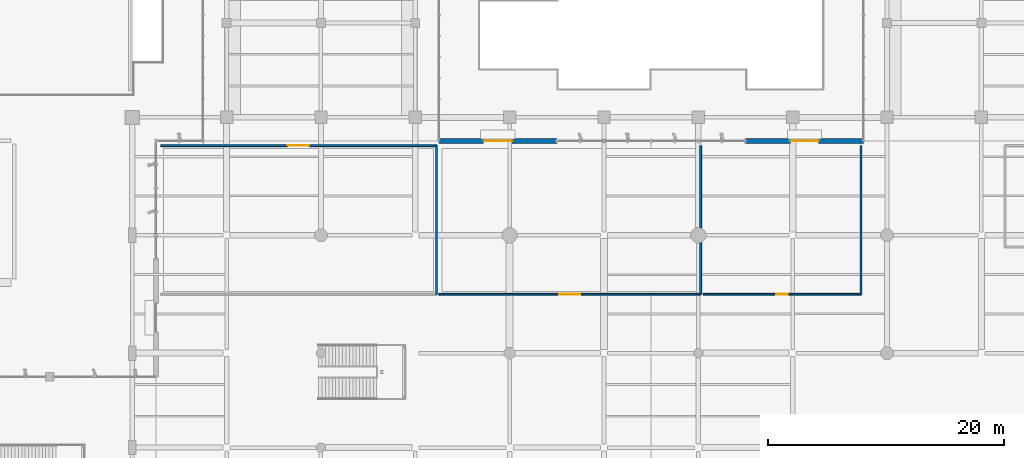
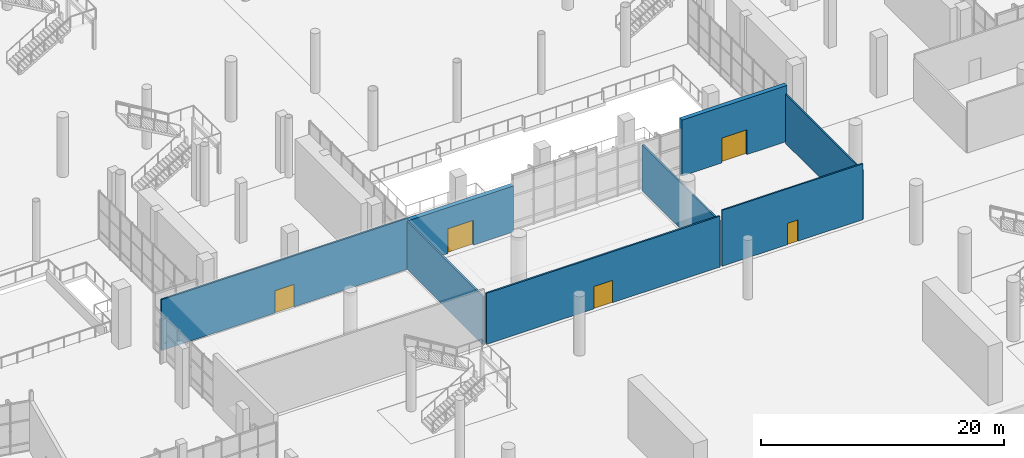
# One storey, part 125 of 163: 8 walls, 5 doors, 5 openings.
"""IFC4 building model written with IfcOpenShell, lengths in metres."""

from ifc_helpers import new_model, si_unit, direction, frame, frame_2d, origin, place, context, subcontext, project, spatial, rectangle, extrude, material, layer, layer_set, type_object, element, fill, save


model = new_model("IFC4")

# Units and contexts
model_context = context("Model", 3, precision=1e-05, world=origin(), true_north=direction((0.0, 1.0)))
body_context = subcontext(model_context, "Body", "Model", "MODEL_VIEW")
ifc_project = project(units=[si_unit("LENGTHUNIT", "METRE"), si_unit("AREAUNIT", "SQUARE_METRE"), si_unit("VOLUMEUNIT", "CUBIC_METRE"), si_unit("PLANEANGLEUNIT", "RADIAN"), si_unit("MASSUNIT", "GRAM", prefix="KILO")], contexts=[model_context])

# Site, building, storey
site_placement = place(None, origin())
site = spatial("IfcSite", under=ifc_project, at=site_placement, CompositionType="ELEMENT")
building_placement = place(site_placement, origin())
building = spatial("IfcBuilding", under=site, at=building_placement, Name="Khorjan Park Terminus", CompositionType="ELEMENT")
storey_placement = place(building_placement, origin())
storey = spatial("IfcBuildingStorey", under=building, at=storey_placement, Name="L00", CompositionType="ELEMENT", Elevation=0.0)

# Wall, opening, door
ifc_material_1 = material(Name="Pigmented Precast GRC & Concrete C40/50", Category="concrete")
ifc_layer_1 = layer(ifc_material_1, 0.42)
ifc_layer_set_1 = layer_set([ifc_layer_1], Name="Pigmented Precast GRC & Concrete C40/50")
wall_type_1 = type_object("IfcWallType", Name="EW-42", PredefinedType="STANDARD", material=ifc_layer_set_1)
wall_1_placement = place(storey_placement, frame((84.0, 86.0, 0.0), z_axis=(0.0, 0.0, 1.0), x_axis=(-1.0, 0.0, 0.0)))
wall_1 = element("IfcWall", 1, at=wall_1_placement, inside=storey, type_object=wall_type_1, Name="External pigmented-GRC insulated wall EW-42 (EW-V2-N-L00-03)", PredefinedType="STANDARD", context=body_context, shape_type="SweptSolid", body=[
    extrude(rectangle(XDim=10.0, YDim=0.42, at=frame_2d((5.0, 0.0))), origin(), (0.0, 0.0, 1.0), 4.625),
])
opening_1_placement = place(wall_1_placement, frame((3.8, 0.0, 0.0)))
opening_1 = element("IfcOpeningElement", 2, at=opening_1_placement, cuts=wall_1, Name="Opening ED-24", PredefinedType="OPENING", context=body_context, shape_type="SweptSolid", body=[
    extrude(rectangle(XDim=2.4, YDim=2.5, at=frame_2d((1.2, 1.25))), frame((0.0, 0.22, 0.0), z_axis=(0.0, -1.0, 0.0), x_axis=(1.0, 0.0, 0.0)), (0.0, 0.0, 1.0), 0.44),
])
ifc_material_2 = material(Name="Anodized Bronze Aluminium & Safety Glass", Category="aluminium")
door_type_1 = type_object("IfcDoorType", Name="ED-24", OperationType="NOTDEFINED", PredefinedType="DOOR", material=ifc_material_2)
door_1_placement = place(opening_1_placement, origin())
door_1 = element("IfcDoor", 3, at=door_1_placement, inside=storey, type_object=door_type_1, Name="Exterior door ED-24 (DR-EW-V2-N-L00-03)", OperationType="DOUBLE_DOOR_SINGLE_SWING", OverallHeight=2.5, OverallWidth=2.4, PredefinedType="DOOR", context=body_context, shape_type="SweptSolid", body=[
    extrude(rectangle(XDim=2.4, YDim=2.5, at=frame_2d((1.2, 1.25))), frame((0.0, 0.025, 0.0), z_axis=(0.0, -1.0, 0.0), x_axis=(1.0, 0.0, 0.0)), (0.0, 0.0, 1.0), 0.05),
])
fill(opening_1, door_1)

wall_2_placement = place(storey_placement, frame((110.0, 86.0, 0.0), z_axis=(0.0, 0.0, 1.0), x_axis=(-1.0, 0.0, 0.0)))
wall_2 = element("IfcWall", 4, at=wall_2_placement, inside=storey, type_object=wall_type_1, Name="External pigmented-GRC insulated wall EW-42 (EW-V2-N-L00-06)", PredefinedType="STANDARD", context=body_context, shape_type="SweptSolid", body=[
    extrude(rectangle(XDim=10.0, YDim=0.42, at=frame_2d((5.0, 0.0))), origin(), (0.0, 0.0, 1.0), 5.62),
])
opening_2_placement = place(wall_2_placement, frame((3.8, 0.0, 0.0)))
opening_2 = element("IfcOpeningElement", 5, at=opening_2_placement, cuts=wall_2, Name="Opening ED-24", PredefinedType="OPENING", context=body_context, shape_type="SweptSolid", body=[
    extrude(rectangle(XDim=2.4, YDim=2.5, at=frame_2d((1.2, 1.25))), frame((0.0, 0.22, 0.0), z_axis=(0.0, -1.0, 0.0), x_axis=(1.0, 0.0, 0.0)), (0.0, 0.0, 1.0), 0.44),
])
door_2_placement = place(opening_2_placement, origin())
door_2 = element("IfcDoor", 6, at=door_2_placement, inside=storey, type_object=door_type_1, Name="Exterior door ED-24 (DR-EW-V2-N-L00-06)", OperationType="DOUBLE_DOOR_SINGLE_SWING", OverallHeight=2.5, OverallWidth=2.4, PredefinedType="DOOR", context=body_context, shape_type="SweptSolid", body=[
    extrude(rectangle(XDim=2.4, YDim=2.5, at=frame_2d((1.2, 1.25))), frame((0.0, 0.025, 0.0), z_axis=(0.0, -1.0, 0.0), x_axis=(1.0, 0.0, 0.0)), (0.0, 0.0, 1.0), 0.05),
])
fill(opening_2, door_2)

# Wall
ifc_material_3 = material(Name="Moisture-Resistant Sanitary Partition")
ifc_layer_2 = layer(ifc_material_3, 0.14)
ifc_layer_set_2 = layer_set([ifc_layer_2], Name="Moisture-Resistant Sanitary Partition")
wall_type_2 = type_object("IfcWallType", Name="PT-14", PredefinedType="PARTITIONING", material=ifc_layer_set_2)
wall_3_placement = place(storey_placement, frame((109.8, 85.6, 0.0), z_axis=(0.0, 0.0, 1.0), x_axis=(0.0, -1.0, 0.0)))
element("IfcWall", 7, at=wall_3_placement, inside=storey, type_object=wall_type_2, Name="Interior acoustic partition PT-14 (L00-WC0)", PredefinedType="PARTITIONING", context=body_context, shape_type="SweptSolid", body=[
    extrude(rectangle(XDim=12.6, YDim=0.14, at=frame_2d((6.3, 0.0))), origin(), (0.0, 0.0, 1.0), 4.935),
])

# Wall, opening, door
wall_4_placement = place(storey_placement, frame((109.8, 73.0, 0.0), z_axis=(0.0, 0.0, 1.0), x_axis=(-1.0, 0.0, 0.0)))
wall_4 = element("IfcWall", 8, at=wall_4_placement, inside=storey, type_object=wall_type_2, Name="Interior acoustic partition PT-14 (L00-WC0)", PredefinedType="PARTITIONING", context=body_context, shape_type="SweptSolid", body=[
    extrude(rectangle(XDim=13.4, YDim=0.14, at=frame_2d((6.7, 0.0))), origin(), (0.0, 0.0, 1.0), 5.62),
])
opening_3_placement = place(wall_4_placement, frame((6.2, 0.0, 0.0)))
opening_3 = element("IfcOpeningElement", 9, at=opening_3_placement, cuts=wall_4, Name="Opening ID-10", PredefinedType="OPENING", context=body_context, shape_type="SweptSolid", body=[
    extrude(rectangle(XDim=1.0, YDim=2.15, at=frame_2d((0.5, 1.075))), frame((0.0, 0.08, 0.0), z_axis=(0.0, -1.0, 0.0), x_axis=(1.0, 0.0, 0.0)), (0.0, 0.0, 1.0), 0.16),
])
ifc_material_4 = material(Name="Acoustic Fire-Rated Single Door")
door_type_2 = type_object("IfcDoorType", Name="ID-10", OperationType="NOTDEFINED", PredefinedType="DOOR", material=ifc_material_4)
door_3_placement = place(opening_3_placement, origin())
door_3 = element("IfcDoor", 10, at=door_3_placement, inside=storey, type_object=door_type_2, Name="Interior door ID-10 (L00-WC0)", OperationType="SINGLE_SWING_RIGHT", OverallHeight=2.15, OverallWidth=1.0, PredefinedType="DOOR", context=body_context, shape_type="SweptSolid", body=[
    extrude(rectangle(XDim=1.0, YDim=2.15, at=frame_2d((0.5, 1.075))), frame((0.0, 0.025, 0.0), z_axis=(0.0, -1.0, 0.0), x_axis=(1.0, 0.0, 0.0)), (0.0, 0.0, 1.0), 0.05),
])
fill(opening_3, door_3)

ifc_material_5 = material(Name="Insulated Metal-Stud Acoustic Partition")
ifc_layer_3 = layer(ifc_material_5, 0.16)
ifc_layer_set_3 = layer_set([ifc_layer_3], Name="Insulated Metal-Stud Acoustic Partition")
wall_type_3 = type_object("IfcWallType", Name="PT-16", PredefinedType="PARTITIONING", material=ifc_layer_set_3)
wall_5_placement = place(storey_placement, frame((50.4, 85.6, 0.0), z_axis=(0.0, 0.0, 1.0), x_axis=(1.0, 0.0, 0.0)))
wall_5 = element("IfcWall", 11, at=wall_5_placement, inside=storey, type_object=wall_type_3, Name="Interior acoustic partition PT-16 (L00-RET1)", PredefinedType="PARTITIONING", context=body_context, shape_type="SweptSolid", body=[
    extrude(rectangle(XDim=23.4, YDim=0.16, at=frame_2d((11.7, 0.0))), origin(), (0.0, 0.0, 1.0), 5.115),
])
opening_4_placement = place(wall_5_placement, frame((10.8, 0.0, 0.0)))
opening_4 = element("IfcOpeningElement", 12, at=opening_4_placement, cuts=wall_5, Name="Opening ID-18", PredefinedType="OPENING", context=body_context, shape_type="SweptSolid", body=[
    extrude(rectangle(XDim=1.8, YDim=2.25, at=frame_2d((0.9, 1.125))), frame((0.0, 0.09, 0.0), z_axis=(0.0, -1.0, 0.0), x_axis=(1.0, 0.0, 0.0)), (0.0, 0.0, 1.0), 0.18),
])
ifc_material_6 = material(Name="Acoustic Hardwood & Vision-Lite Double Door", Category="wood")
door_type_3 = type_object("IfcDoorType", Name="ID-18", OperationType="NOTDEFINED", PredefinedType="DOOR", material=ifc_material_6)
door_4_placement = place(opening_4_placement, origin())
door_4 = element("IfcDoor", 13, at=door_4_placement, inside=storey, type_object=door_type_3, Name="Interior door ID-18 (L00-RET1)", OperationType="DOUBLE_DOOR_SINGLE_SWING", OverallHeight=2.25, OverallWidth=1.8, PredefinedType="DOOR", context=body_context, shape_type="SweptSolid", body=[
    extrude(rectangle(XDim=1.8, YDim=2.25, at=frame_2d((0.9, 1.125))), frame((0.0, 0.025, 0.0), z_axis=(0.0, -1.0, 0.0), x_axis=(1.0, 0.0, 0.0)), (0.0, 0.0, 1.0), 0.05),
])
fill(opening_4, door_4)

# Walls
wall_6_placement = place(storey_placement, frame((73.8, 85.6, 0.0), z_axis=(0.0, 0.0, 1.0), x_axis=(0.0, -1.0, 0.0)))
element("IfcWall", 14, at=wall_6_placement, inside=storey, type_object=wall_type_3, Name="Interior acoustic partition PT-16 (L00-RET1)", PredefinedType="PARTITIONING", context=body_context, shape_type="SweptSolid", body=[
    extrude(rectangle(XDim=12.6, YDim=0.16, at=frame_2d((6.3, 0.0))), origin(), (0.0, 0.0, 1.0), 4.825),
])
wall_7_placement = place(storey_placement, frame((96.2, 85.6, 0.0), z_axis=(0.0, 0.0, 1.0), x_axis=(0.0, -1.0, 0.0)))
element("IfcWall", 15, at=wall_7_placement, inside=storey, type_object=wall_type_3, Name="Interior acoustic partition PT-16 (L00-RET2)", PredefinedType="PARTITIONING", context=body_context, shape_type="SweptSolid", body=[
    extrude(rectangle(XDim=12.6, YDim=0.16, at=frame_2d((6.3, 0.0))), origin(), (0.0, 0.0, 1.0), 4.625),
])

# Wall, opening, door
wall_8_placement = place(storey_placement, frame((96.2, 73.0, 0.0), z_axis=(0.0, 0.0, 1.0), x_axis=(-1.0, 0.0, 0.0)))
wall_8 = element("IfcWall", 16, at=wall_8_placement, inside=storey, type_object=wall_type_3, Name="Interior acoustic partition PT-16 (L00-RET2)", PredefinedType="PARTITIONING", context=body_context, shape_type="SweptSolid", body=[
    extrude(rectangle(XDim=22.2, YDim=0.16, at=frame_2d((11.1, 0.0))), origin(), (0.0, 0.0, 1.0), 5.125),
])
opening_5_placement = place(wall_8_placement, frame((10.2, 0.0, 0.0)))
opening_5 = element("IfcOpeningElement", 17, at=opening_5_placement, cuts=wall_8, Name="Opening ID-18", PredefinedType="OPENING", context=body_context, shape_type="SweptSolid", body=[
    extrude(rectangle(XDim=1.8, YDim=2.25, at=frame_2d((0.9, 1.125))), frame((0.0, 0.09, 0.0), z_axis=(0.0, -1.0, 0.0), x_axis=(1.0, 0.0, 0.0)), (0.0, 0.0, 1.0), 0.18),
])
door_5_placement = place(opening_5_placement, origin())
door_5 = element("IfcDoor", 18, at=door_5_placement, inside=storey, type_object=door_type_3, Name="Interior door ID-18 (L00-RET2)", OperationType="DOUBLE_DOOR_SINGLE_SWING", OverallHeight=2.25, OverallWidth=1.8, PredefinedType="DOOR", context=body_context, shape_type="SweptSolid", body=[
    extrude(rectangle(XDim=1.8, YDim=2.25, at=frame_2d((0.9, 1.125))), frame((0.0, 0.025, 0.0), z_axis=(0.0, -1.0, 0.0), x_axis=(1.0, 0.0, 0.0)), (0.0, 0.0, 1.0), 0.05),
])
fill(opening_5, door_5)

save(model, "model.ifc")
